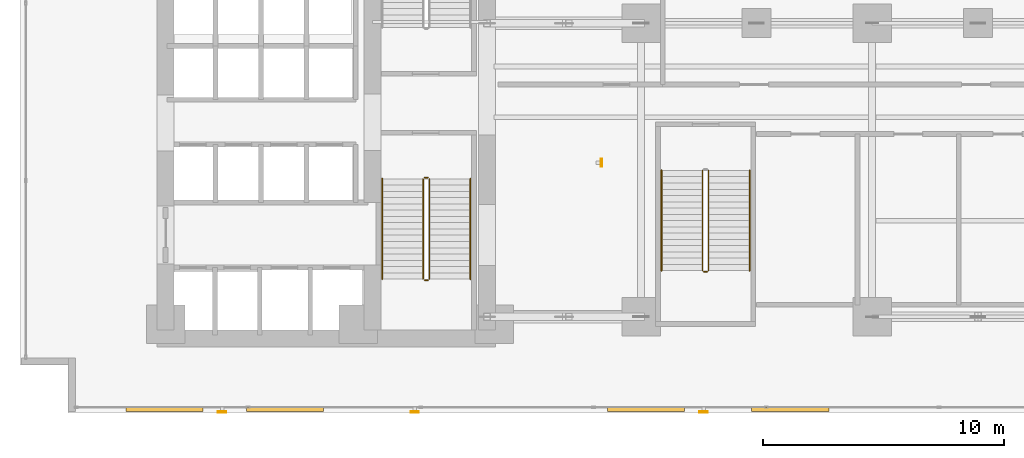
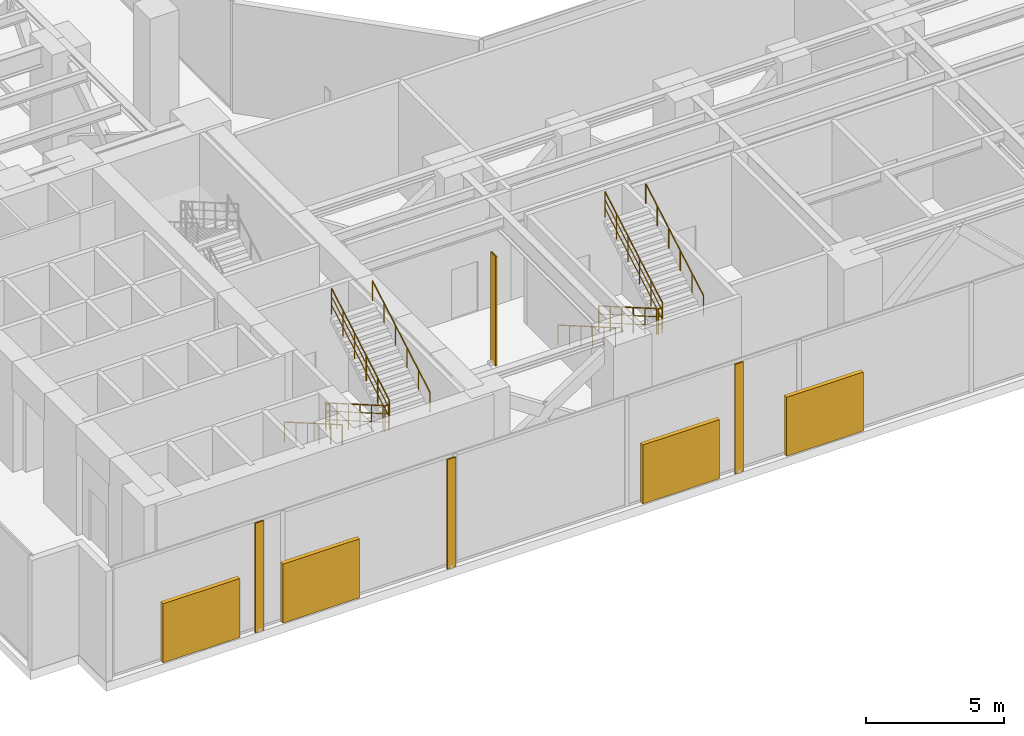
# One storey, part 35 of 36: 11 railings, 8 shading devices.
"""IFC4 building model written with IfcOpenShell, lengths in metres."""

from ifc_helpers import new_model, si_unit, direction, frame, origin, origin_with_axes, origin_2d, place, context, subcontext, project, spatial, rectangle, hollow_rectangle, circle, extrude, source, transform, mapped, material, material_profile, profile_set, type_object, element, save


model = new_model("IFC4")

# Units and contexts
model_context = context("Model", 3, precision=1e-05, world=origin(), true_north=direction((0.0, 1.0)))
body_context = subcontext(model_context, "Body", "Model", "MODEL_VIEW")
ifc_project = project(units=[si_unit("LENGTHUNIT", "METRE"), si_unit("AREAUNIT", "SQUARE_METRE"), si_unit("VOLUMEUNIT", "CUBIC_METRE"), si_unit("PLANEANGLEUNIT", "RADIAN"), si_unit("MASSUNIT", "GRAM", prefix="KILO")], contexts=[model_context])

# Site, building, storey
site_placement = place(None, origin())
site = spatial("IfcSite", under=ifc_project, at=site_placement, CompositionType="ELEMENT")
building_placement = place(site_placement, origin())
building = spatial("IfcBuilding", under=site, at=building_placement, Name="Kolvaren Waterfront Exchange", CompositionType="ELEMENT")
storey_placement = place(building_placement, frame((0.0, 0.0, 82.800048828125)))
storey = spatial("IfcBuildingStorey", under=building, at=storey_placement, Name="L21", CompositionType="ELEMENT", Elevation=82.800048828125)

# Shading devices
ifc_material_1 = material(Name="Anodised bronze aluminium 6063-T6", Category="aluminium")
ifc_material_profile = material_profile(ifc_material_1, hollow_rectangle(XDim=0.06005859375, YDim=0.35009765625, WallThickness=0.0048828125, at=origin_2d()), Name="BRZ-FIN-350x60x5")
ifc_profile_set = profile_set([ifc_material_profile], Name="Anodised bronze aluminium 6063-T6")
shading_device_type_1 = type_object("IfcShadingDeviceType", Name="ARC-FIN-350", PredefinedType="USERDEFINED", material=ifc_profile_set)
for number, where, z_axis, x_axis, name in (
    (1, (9.800048828125, 1.239990234375, 0.0), (0.0, 0.0, 1.0), (0.0, -1.0, 0.0), "L21 anodised bronze solar shading fin FIN-L21-S1"),
    (2, (17.800048828125, 1.239990234375, 0.0), (0.0, 0.0, 1.0), (0.0, -1.0, 0.0), "L21 anodised bronze solar shading fin FIN-L21-S2"),
    (3, (29.800048828125, 1.239990234375, 0.0), (0.0, 0.0, 1.0), (0.0, -1.0, 0.0), "L21 anodised bronze solar shading fin FIN-L21-S3"),
    (4, (25.56005859375, 11.60009765625, 0.0), (0.0, 0.0, 1.0), (1.0, 0.0, 0.0), "L21 anodised bronze solar shading fin FIN-L21-E1"),
):
    element("IfcShadingDevice", number, at=place(storey_placement, frame(where, z_axis=z_axis, x_axis=x_axis)), inside=storey, type_object=shading_device_type_1, Name=name, ObjectType="SOLAR FIN", PredefinedType="USERDEFINED", context=body_context, shape_type="SweptSolid", body=[
        extrude(hollow_rectangle(XDim=0.06005859375, YDim=0.35009765625, WallThickness=0.0048828125, at=origin_2d()), origin(), (0.0, 0.0, 1.0), 4.83984375),
    ])

# Railings
ifc_material_2 = material(Name="Stainless steel 316", Category="steel")
railing_type_1 = type_object("IfcRailingType", Name="ARC-GUARD-STAIR", PredefinedType="GUARDRAIL", material=ifc_material_2)
railing_1_placement = place(storey_placement, frame((18.14990234375, 10.929931640625, 0.14990234375)))
element("IfcRailing", 5, at=railing_1_placement, inside=storey, type_object=railing_type_1, Name="L21 ST1 stair guard 1", PredefinedType="GUARDRAIL", context=body_context, shape_type="SweptSolid", body=[
    extrude(circle(Radius=0.02392578125, at=origin_2d()), frame((0.0, 0.0, 1.1259765625), z_axis=(0.0, -0.866167813198, 0.499753258498), x_axis=(1.0, 0.0, 0.0)), (0.0, 0.0, 1.0), 4.802734375),
    extrude(circle(Radius=0.01611328125, at=origin_2d()), frame((0.0, 0.0, 0.390869140625), z_axis=(0.0, -0.866167813198, 0.499753258498), x_axis=(1.0, 0.0, 0.0)), (0.0, 0.0, 1.0), 4.802734375),
    extrude(circle(Radius=0.01611328125, at=origin_2d()), frame((0.0, 0.0, 0.7705078125), z_axis=(0.0, -0.866167813198, 0.499753258498), x_axis=(1.0, 0.0, 0.0)), (0.0, 0.0, 1.0), 4.802734375),
    extrude(circle(Radius=0.02099609375, at=origin_2d()), origin(), (0.0, 0.0, 1.0), 1.101806640625),
    extrude(circle(Radius=0.02099609375, at=origin_2d()), frame((0.0, -0.83203125, 0.47998046875)), (0.0, 0.0, 1.0), 1.101806640625),
    extrude(circle(Radius=0.02099609375, at=origin_2d()), frame((0.0, -1.6640625, 0.9599609375)), (0.0, 0.0, 1.0), 1.101806640625),
    extrude(circle(Radius=0.02099609375, at=origin_2d()), frame((0.0, -2.495849609375, 1.440185546875)), (0.0, 0.0, 1.0), 1.101806640625),
    extrude(circle(Radius=0.02099609375, at=origin_2d()), frame((0.0, -3.327880859375, 1.920166015625)), (0.0, 0.0, 1.0), 1.101806640625),
    extrude(circle(Radius=0.02099609375, at=origin_2d()), frame((0.0, -4.159912109375, 2.400146484375)), (0.0, 0.0, 1.0), 1.101806640625),
])
railing_2_placement = place(storey_placement, frame((18.199951171875, 6.719970703125, 2.550048828125)))
element("IfcRailing", 6, at=railing_2_placement, inside=storey, type_object=railing_type_1, Name="L21 ST1 stair guard 2", PredefinedType="GUARDRAIL", context=body_context, shape_type="SweptSolid", body=[
    extrude(circle(Radius=0.02392578125, at=origin_2d()), frame((0.0, 0.0, 1.1259765625), z_axis=(1.0, 0.0, 0.0), x_axis=(0.0, 1.0, 0.0)), (0.0, 0.0, 1.0), 0.16015625),
    extrude(circle(Radius=0.01611328125, at=origin_2d()), frame((0.0, 0.0, 0.390869140625), z_axis=(1.0, 0.0, 0.0), x_axis=(0.0, 1.0, 0.0)), (0.0, 0.0, 1.0), 0.16015625),
    extrude(circle(Radius=0.01611328125, at=origin_2d()), frame((0.0, 0.0, 0.7705078125), z_axis=(1.0, 0.0, 0.0), x_axis=(0.0, 1.0, 0.0)), (0.0, 0.0, 1.0), 0.16015625),
    extrude(circle(Radius=0.02099609375, at=origin_2d()), origin(), (0.0, 0.0, 1.0), 1.101806640625),
    extrude(circle(Radius=0.02099609375, at=origin_2d()), frame((0.16015625, 0.0, 0.0)), (0.0, 0.0, 1.0), 1.101806640625),
])
railing_3_placement = place(storey_placement, frame((18.409912109375, 6.77001953125, 2.699951171875)))
element("IfcRailing", 7, at=railing_3_placement, inside=storey, type_object=railing_type_1, Name="L21 ST1 stair guard 3", PredefinedType="GUARDRAIL", context=body_context, shape_type="SweptSolid", body=[
    extrude(circle(Radius=0.02392578125, at=origin_2d()), frame((0.0, 0.0, 1.1259765625), z_axis=(0.0, 0.866189817626, 0.499715118684), x_axis=(-1.0, 0.0, 0.0)), (0.0, 0.0, 1.0), 4.802490234375),
    extrude(circle(Radius=0.01611328125, at=origin_2d()), frame((0.0, 0.0, 0.390869140625), z_axis=(0.0, 0.866189817626, 0.499715118684), x_axis=(-1.0, 0.0, 0.0)), (0.0, 0.0, 1.0), 4.802490234375),
    extrude(circle(Radius=0.01611328125, at=origin_2d()), frame((0.0, 0.0, 0.7705078125), z_axis=(0.0, 0.866189817626, 0.499715118684), x_axis=(-1.0, 0.0, 0.0)), (0.0, 0.0, 1.0), 4.802490234375),
    extrude(circle(Radius=0.02099609375, at=origin_2d()), origin(), (0.0, 0.0, 1.0), 1.101806640625),
    extrude(circle(Radius=0.02099609375, at=origin_2d()), frame((0.0, 0.83203125, 0.47998046875)), (0.0, 0.0, 1.0), 1.101806640625),
    extrude(circle(Radius=0.02099609375, at=origin_2d()), frame((0.0, 1.6640625, 0.9599609375)), (0.0, 0.0, 1.0), 1.101806640625),
    extrude(circle(Radius=0.02099609375, at=origin_2d()), frame((0.0, 2.495849609375, 1.43994140625)), (0.0, 0.0, 1.0), 1.101806640625),
    extrude(circle(Radius=0.02099609375, at=origin_2d()), frame((0.0, 3.327880859375, 1.919921875)), (0.0, 0.0, 1.0), 1.101806640625),
    extrude(circle(Radius=0.02099609375, at=origin_2d()), frame((0.0, 4.159912109375, 2.39990234375)), (0.0, 0.0, 1.0), 1.101806640625),
])
railing_4_placement = place(storey_placement, frame((18.199951171875, 10.97998046875, 0.0)))
element("IfcRailing", 8, at=railing_4_placement, inside=storey, type_object=railing_type_1, Name="L21 ST1 stair guard 4", PredefinedType="GUARDRAIL", context=body_context, shape_type="SweptSolid", body=[
    extrude(circle(Radius=0.02392578125, at=origin_2d()), frame((0.0, 0.0, 1.1259765625), z_axis=(1.0, 0.0, 0.0), x_axis=(0.0, 1.0, 0.0)), (0.0, 0.0, 1.0), 0.16015625),
    extrude(circle(Radius=0.01611328125, at=origin_2d()), frame((0.0, 0.0, 0.390869140625), z_axis=(1.0, 0.0, 0.0), x_axis=(0.0, 1.0, 0.0)), (0.0, 0.0, 1.0), 0.16015625),
    extrude(circle(Radius=0.01611328125, at=origin_2d()), frame((0.0, 0.0, 0.7705078125), z_axis=(1.0, 0.0, 0.0), x_axis=(0.0, 1.0, 0.0)), (0.0, 0.0, 1.0), 0.16015625),
    extrude(circle(Radius=0.02099609375, at=origin_2d()), origin(), (0.0, 0.0, 1.0), 1.101806640625),
    extrude(circle(Radius=0.02099609375, at=origin_2d()), frame((0.16015625, 0.0, 0.0)), (0.0, 0.0, 1.0), 1.101806640625),
])
railing_5_placement = place(storey_placement, frame((29.75, 11.280029296875, 0.14990234375)))
element("IfcRailing", 9, at=railing_5_placement, inside=storey, type_object=railing_type_1, Name="L21 ST3 stair guard 1", PredefinedType="GUARDRAIL", context=body_context, shape_type="SweptSolid", body=[
    extrude(circle(Radius=0.02392578125, at=origin_2d()), frame((0.0, 0.0, 1.1259765625), z_axis=(0.0, -0.866167813198, 0.499753258498), x_axis=(1.0, 0.0, 0.0)), (0.0, 0.0, 1.0), 4.802734375),
    extrude(circle(Radius=0.01611328125, at=origin_2d()), frame((0.0, 0.0, 0.390869140625), z_axis=(0.0, -0.866167813198, 0.499753258498), x_axis=(1.0, 0.0, 0.0)), (0.0, 0.0, 1.0), 4.802734375),
    extrude(circle(Radius=0.01611328125, at=origin_2d()), frame((0.0, 0.0, 0.7705078125), z_axis=(0.0, -0.866167813198, 0.499753258498), x_axis=(1.0, 0.0, 0.0)), (0.0, 0.0, 1.0), 4.802734375),
    extrude(circle(Radius=0.02099609375, at=origin_2d()), origin(), (0.0, 0.0, 1.0), 1.101806640625),
    extrude(circle(Radius=0.02099609375, at=origin_2d()), frame((0.0, -0.83203125, 0.47998046875)), (0.0, 0.0, 1.0), 1.101806640625),
    extrude(circle(Radius=0.02099609375, at=origin_2d()), frame((0.0, -1.6640625, 0.9599609375)), (0.0, 0.0, 1.0), 1.101806640625),
    extrude(circle(Radius=0.02099609375, at=origin_2d()), frame((0.0, -2.495849609375, 1.440185546875)), (0.0, 0.0, 1.0), 1.101806640625),
    extrude(circle(Radius=0.02099609375, at=origin_2d()), frame((0.0, -3.327880859375, 1.920166015625)), (0.0, 0.0, 1.0), 1.101806640625),
    extrude(circle(Radius=0.02099609375, at=origin_2d()), frame((0.0, -4.159912109375, 2.400146484375)), (0.0, 0.0, 1.0), 1.101806640625),
])
railing_6_placement = place(storey_placement, frame((29.800048828125, 7.070068359375, 2.550048828125)))
element("IfcRailing", 10, at=railing_6_placement, inside=storey, type_object=railing_type_1, Name="L21 ST3 stair guard 2", PredefinedType="GUARDRAIL", context=body_context, shape_type="SweptSolid", body=[
    extrude(circle(Radius=0.02392578125, at=origin_2d()), frame((0.0, 0.0, 1.1259765625), z_axis=(1.0, 0.0, 0.0), x_axis=(0.0, 1.0, 0.0)), (0.0, 0.0, 1.0), 0.159912109375),
    extrude(circle(Radius=0.01611328125, at=origin_2d()), frame((0.0, 0.0, 0.390869140625), z_axis=(1.0, 0.0, 0.0), x_axis=(0.0, 1.0, 0.0)), (0.0, 0.0, 1.0), 0.159912109375),
    extrude(circle(Radius=0.01611328125, at=origin_2d()), frame((0.0, 0.0, 0.7705078125), z_axis=(1.0, 0.0, 0.0), x_axis=(0.0, 1.0, 0.0)), (0.0, 0.0, 1.0), 0.159912109375),
    extrude(circle(Radius=0.02099609375, at=origin_2d()), origin(), (0.0, 0.0, 1.0), 1.101806640625),
    extrude(circle(Radius=0.02099609375, at=origin_2d()), frame((0.159912109375, 0.0, 0.0)), (0.0, 0.0, 1.0), 1.101806640625),
])
railing_7_placement = place(storey_placement, frame((30.010009765625, 7.1201171875, 2.699951171875)))
element("IfcRailing", 11, at=railing_7_placement, inside=storey, type_object=railing_type_1, Name="L21 ST3 stair guard 3", PredefinedType="GUARDRAIL", context=body_context, shape_type="SweptSolid", body=[
    extrude(circle(Radius=0.02392578125, at=origin_2d()), frame((0.0, 0.0, 1.1259765625), z_axis=(0.0, 0.866189817626, 0.499715118684), x_axis=(-1.0, 0.0, 0.0)), (0.0, 0.0, 1.0), 4.802490234375),
    extrude(circle(Radius=0.01611328125, at=origin_2d()), frame((0.0, 0.0, 0.390869140625), z_axis=(0.0, 0.866189817626, 0.499715118684), x_axis=(-1.0, 0.0, 0.0)), (0.0, 0.0, 1.0), 4.802490234375),
    extrude(circle(Radius=0.01611328125, at=origin_2d()), frame((0.0, 0.0, 0.7705078125), z_axis=(0.0, 0.866189817626, 0.499715118684), x_axis=(-1.0, 0.0, 0.0)), (0.0, 0.0, 1.0), 4.802490234375),
    extrude(circle(Radius=0.02099609375, at=origin_2d()), origin(), (0.0, 0.0, 1.0), 1.101806640625),
    extrude(circle(Radius=0.02099609375, at=origin_2d()), frame((0.0, 0.83203125, 0.47998046875)), (0.0, 0.0, 1.0), 1.101806640625),
    extrude(circle(Radius=0.02099609375, at=origin_2d()), frame((0.0, 1.6640625, 0.9599609375)), (0.0, 0.0, 1.0), 1.101806640625),
    extrude(circle(Radius=0.02099609375, at=origin_2d()), frame((0.0, 2.495849609375, 1.43994140625)), (0.0, 0.0, 1.0), 1.101806640625),
    extrude(circle(Radius=0.02099609375, at=origin_2d()), frame((0.0, 3.327880859375, 1.919921875)), (0.0, 0.0, 1.0), 1.101806640625),
    extrude(circle(Radius=0.02099609375, at=origin_2d()), frame((0.0, 4.159912109375, 2.39990234375)), (0.0, 0.0, 1.0), 1.101806640625),
])
railing_type_2 = type_object("IfcRailingType", Name="ARC-HANDRAIL-900", PredefinedType="HANDRAIL", material=ifc_material_2)
railing_8_placement = place(storey_placement, frame((16.449951171875, 10.929931640625, 0.14990234375)))
element("IfcRailing", 12, at=railing_8_placement, inside=storey, type_object=railing_type_2, Name="L21 ST1 stair handrail 1", PredefinedType="HANDRAIL", context=body_context, shape_type="SweptSolid", body=[
    extrude(circle(Radius=0.02392578125, at=origin_2d()), frame((0.0, 0.0, 0.8759765625), z_axis=(0.0, -0.866167813198, 0.499753258498), x_axis=(1.0, 0.0, 0.0)), (0.0, 0.0, 1.0), 4.802734375),
    extrude(circle(Radius=0.02099609375, at=origin_2d()), origin(), (0.0, 0.0, 1.0), 0.851806640625),
    extrude(circle(Radius=0.02099609375, at=origin_2d()), frame((0.0, -0.83203125, 0.47998046875)), (0.0, 0.0, 1.0), 0.851806640625),
    extrude(circle(Radius=0.02099609375, at=origin_2d()), frame((0.0, -1.6640625, 0.9599609375)), (0.0, 0.0, 1.0), 0.851806640625),
    extrude(circle(Radius=0.02099609375, at=origin_2d()), frame((0.0, -2.495849609375, 1.440185546875)), (0.0, 0.0, 1.0), 0.851806640625),
    extrude(circle(Radius=0.02099609375, at=origin_2d()), frame((0.0, -3.327880859375, 1.920166015625)), (0.0, 0.0, 1.0), 0.851806640625),
    extrude(circle(Radius=0.02099609375, at=origin_2d()), frame((0.0, -4.159912109375, 2.400146484375)), (0.0, 0.0, 1.0), 0.851806640625),
])
railing_9_placement = place(storey_placement, frame((20.110107421875, 6.77001953125, 2.699951171875)))
element("IfcRailing", 13, at=railing_9_placement, inside=storey, type_object=railing_type_2, Name="L21 ST1 stair handrail 2", PredefinedType="HANDRAIL", context=body_context, shape_type="SweptSolid", body=[
    extrude(circle(Radius=0.02392578125, at=origin_2d()), frame((0.0, 0.0, 0.8759765625), z_axis=(0.0, 0.866189817626, 0.499715118684), x_axis=(-1.0, 0.0, 0.0)), (0.0, 0.0, 1.0), 4.802490234375),
    extrude(circle(Radius=0.02099609375, at=origin_2d()), origin(), (0.0, 0.0, 1.0), 0.851806640625),
    extrude(circle(Radius=0.02099609375, at=origin_2d()), frame((0.0, 0.83203125, 0.47998046875)), (0.0, 0.0, 1.0), 0.851806640625),
    extrude(circle(Radius=0.02099609375, at=origin_2d()), frame((0.0, 1.6640625, 0.9599609375)), (0.0, 0.0, 1.0), 0.851806640625),
    extrude(circle(Radius=0.02099609375, at=origin_2d()), frame((0.0, 2.495849609375, 1.43994140625)), (0.0, 0.0, 1.0), 0.851806640625),
    extrude(circle(Radius=0.02099609375, at=origin_2d()), frame((0.0, 3.327880859375, 1.919921875)), (0.0, 0.0, 1.0), 0.851806640625),
    extrude(circle(Radius=0.02099609375, at=origin_2d()), frame((0.0, 4.159912109375, 2.39990234375)), (0.0, 0.0, 1.0), 0.851806640625),
])
railing_10_placement = place(storey_placement, frame((28.050048828125, 11.280029296875, 0.14990234375)))
element("IfcRailing", 14, at=railing_10_placement, inside=storey, type_object=railing_type_2, Name="L21 ST3 stair handrail 1", PredefinedType="HANDRAIL", context=body_context, shape_type="SweptSolid", body=[
    extrude(circle(Radius=0.02392578125, at=origin_2d()), frame((0.0, 0.0, 0.8759765625), z_axis=(0.0, -0.866167813198, 0.499753258498), x_axis=(1.0, 0.0, 0.0)), (0.0, 0.0, 1.0), 4.802734375),
    extrude(circle(Radius=0.02099609375, at=origin_2d()), origin(), (0.0, 0.0, 1.0), 0.851806640625),
    extrude(circle(Radius=0.02099609375, at=origin_2d()), frame((0.0, -0.83203125, 0.47998046875)), (0.0, 0.0, 1.0), 0.851806640625),
    extrude(circle(Radius=0.02099609375, at=origin_2d()), frame((0.0, -1.6640625, 0.9599609375)), (0.0, 0.0, 1.0), 0.851806640625),
    extrude(circle(Radius=0.02099609375, at=origin_2d()), frame((0.0, -2.495849609375, 1.440185546875)), (0.0, 0.0, 1.0), 0.851806640625),
    extrude(circle(Radius=0.02099609375, at=origin_2d()), frame((0.0, -3.327880859375, 1.920166015625)), (0.0, 0.0, 1.0), 0.851806640625),
    extrude(circle(Radius=0.02099609375, at=origin_2d()), frame((0.0, -4.159912109375, 2.400146484375)), (0.0, 0.0, 1.0), 0.851806640625),
])
railing_11_placement = place(storey_placement, frame((31.7099609375, 7.1201171875, 2.699951171875)))
element("IfcRailing", 15, at=railing_11_placement, inside=storey, type_object=railing_type_2, Name="L21 ST3 stair handrail 2", PredefinedType="HANDRAIL", context=body_context, shape_type="SweptSolid", body=[
    extrude(circle(Radius=0.02392578125, at=origin_2d()), frame((0.0, 0.0, 0.8759765625), z_axis=(0.0, 0.866189817626, 0.499715118684), x_axis=(-1.0, 0.0, 0.0)), (0.0, 0.0, 1.0), 4.802490234375),
    extrude(circle(Radius=0.02099609375, at=origin_2d()), origin(), (0.0, 0.0, 1.0), 0.851806640625),
    extrude(circle(Radius=0.02099609375, at=origin_2d()), frame((0.0, 0.83203125, 0.47998046875)), (0.0, 0.0, 1.0), 0.851806640625),
    extrude(circle(Radius=0.02099609375, at=origin_2d()), frame((0.0, 1.6640625, 0.9599609375)), (0.0, 0.0, 1.0), 0.851806640625),
    extrude(circle(Radius=0.02099609375, at=origin_2d()), frame((0.0, 2.495849609375, 1.43994140625)), (0.0, 0.0, 1.0), 0.851806640625),
    extrude(circle(Radius=0.02099609375, at=origin_2d()), frame((0.0, 3.327880859375, 1.919921875)), (0.0, 0.0, 1.0), 0.851806640625),
    extrude(circle(Radius=0.02099609375, at=origin_2d()), frame((0.0, 4.159912109375, 2.39990234375)), (0.0, 0.0, 1.0), 0.851806640625),
])

# Shading devices
shading_device_type_2 = type_object("IfcShadingDeviceType", Name="ARC-SHD-LOUVRE", PredefinedType="USERDEFINED", material=ifc_material_1)
shared_shape = source(origin_with_axes(), body_context, "Body", "SweptSolid", [
    extrude(rectangle(XDim=3.199951171875, YDim=0.179931640625, at=origin_2d()), origin(), (0.0, 0.0, 1.0), 2.60009765625),
])
for number, where, z_axis, x_axis, name in (
    (16, (7.39990234375, 1.35009765625, 0.0), (0.0, 0.0, 1.0), (1.0, 0.0, 0.0), "L21 acoustic weather intake louvre 1"),
    (17, (12.39990234375, 1.35009765625, 0.0), (0.0, 0.0, 1.0), (1.0, 0.0, 0.0), "L21 acoustic weather intake louvre 2"),
    (18, (27.39990234375, 1.35009765625, 0.0), (0.0, 0.0, 1.0), (1.0, 0.0, 0.0), "L21 acoustic weather intake louvre 3"),
    (19, (33.39990234375, 1.35009765625, 0.0), (0.0, 0.0, 1.0), (1.0, 0.0, 0.0), "L21 acoustic weather intake louvre 4"),
):
    element("IfcShadingDevice", number, at=place(storey_placement, frame(where, z_axis=z_axis, x_axis=x_axis)), inside=storey, type_object=shading_device_type_2, Name=name, ObjectType="LOUVRE", PredefinedType="USERDEFINED", context=body_context, shape_type="MappedRepresentation", body=[
        mapped(shared_shape, transform((0.0, 0.0, 0.0), x_axis=(1.0, 0.0, 0.0), y_axis=(0.0, 1.0, 0.0), z_axis=(0.0, 0.0, 1.0), scale=1.0)),
    ])

save(model, "model.ifc")
